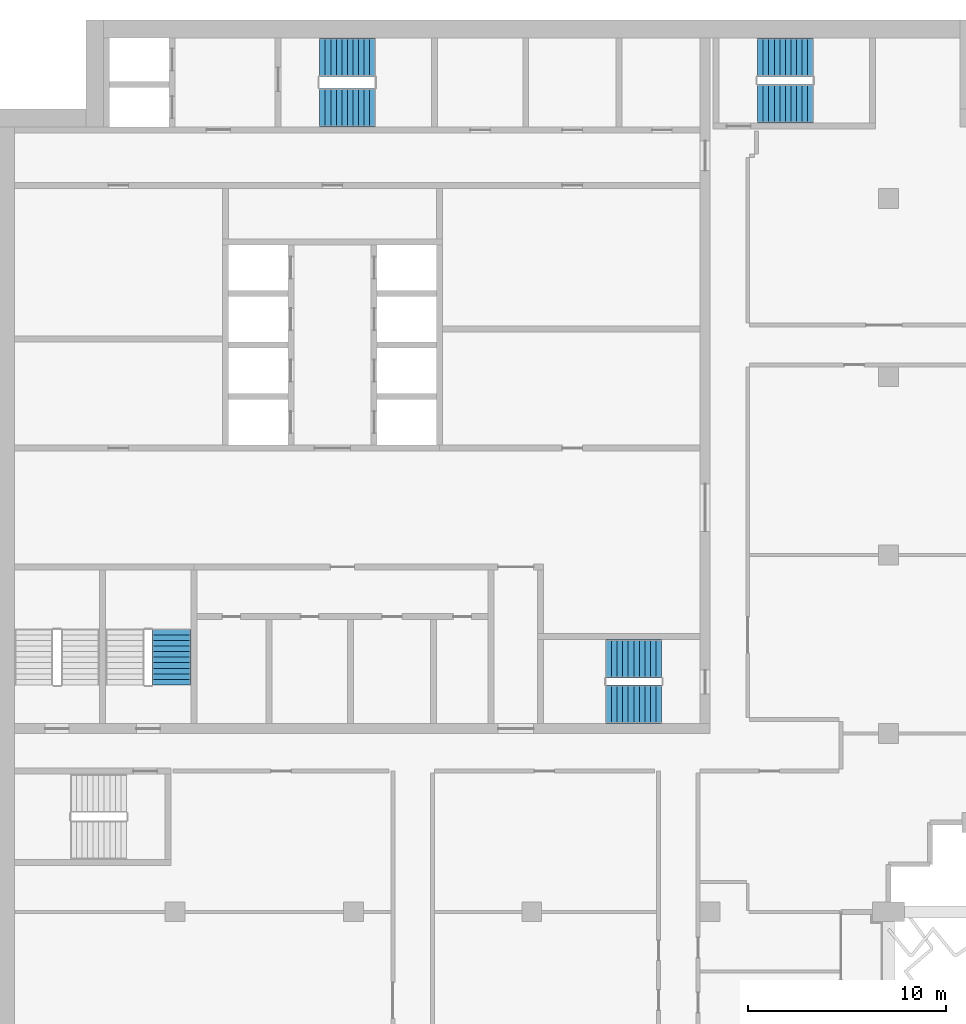
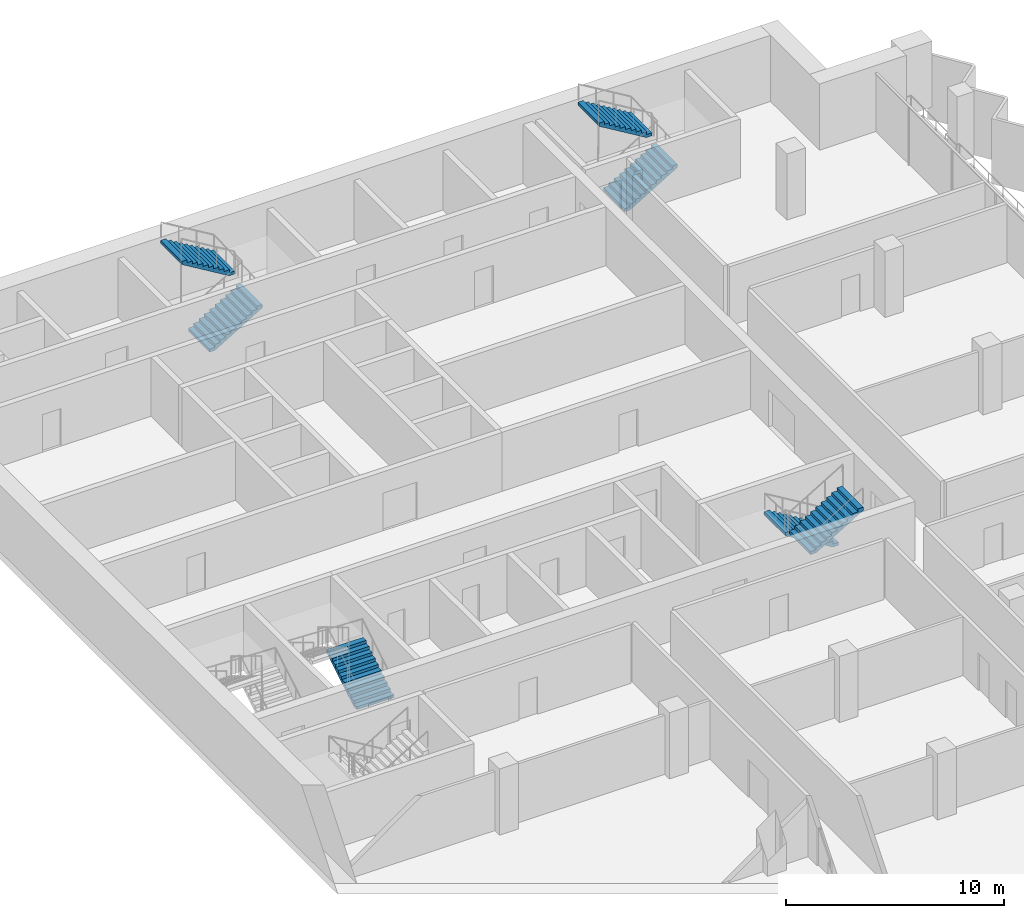
# One storey, part 12 of 16: 7 stair flights, 4 elements without a shape of their own.
"""IFC4 building model written with IfcOpenShell, lengths in metres."""

from ifc_helpers import new_model, si_unit, direction, frame, origin, place, context, subcontext, project, spatial, polyline, outline, extrude, material, type_object, element, aggregate, save


model = new_model("IFC4")

# Units and contexts
model_context = context("Model", 3, precision=1e-05, world=origin(), true_north=direction((0.0, 1.0)))
body_context = subcontext(model_context, "Body", "Model", "MODEL_VIEW")
ifc_project = project(units=[si_unit("LENGTHUNIT", "METRE"), si_unit("AREAUNIT", "SQUARE_METRE"), si_unit("VOLUMEUNIT", "CUBIC_METRE"), si_unit("PLANEANGLEUNIT", "RADIAN"), si_unit("MASSUNIT", "GRAM", prefix="KILO")], contexts=[model_context])

# Site, building, storey
site_placement = place(None, origin())
site = spatial("IfcSite", under=ifc_project, at=site_placement, CompositionType="ELEMENT")
building_placement = place(site_placement, origin())
building = spatial("IfcBuilding", under=site, at=building_placement, Name="Hunhe Ridgeline Campus", CompositionType="ELEMENT")
storey_placement = place(building_placement, frame((0.0, 0.0, 254.0)))
storey = spatial("IfcBuildingStorey", under=building, at=storey_placement, Name="L65", CompositionType="ELEMENT", Elevation=254.0)

# Stair, stair flights
ifc_material = material(Name="Concrete C40", Category="concrete")
stair_type = type_object("IfcStairType", Name="Reinforced concrete dog-leg stair 1950 Concrete C40", PredefinedType="HALF_TURN_STAIR", material=ifc_material)
stair_1_placement = place(storey_placement, origin())
stair_1 = element("IfcStair", 1, at=stair_1_placement, inside=storey, type_object=stair_type, Name="L65 S1", PredefinedType="HALF_TURN_STAIR")
stair_flight_type = type_object("IfcStairFlightType", Name="Reinforced concrete stair flight 1950 Concrete C40", PredefinedType="STRAIGHT", material=ifc_material)
stair_flight_1_placement = place(storey_placement, frame((16.300048828125, 94.574951171875, 0.0), z_axis=(0.0, 0.0, 1.0), x_axis=(1.0, 0.0, 0.0)))
stair_flight_1 = element("IfcStairFlight", 2, at=stair_flight_1_placement, type_object=stair_flight_type, Name="ST1 flight 1", NumberOfRisers=11, NumberOfTreads=10, PredefinedType="STRAIGHT", RiserHeight=0.168181818, TreadLength=0.28, context=body_context, shape_type="SweptSolid", body=[
    extrude(outline(polyline([(0.0, 0.0), (0.0, 0.168212890625), (0.280029296875, 0.168212890625), (0.280029296875, 0.33642578125), (0.56005859375, 0.33642578125), (0.56005859375, 0.504638671875), (0.840087890625, 0.504638671875), (0.840087890625, 0.672607421875), (1.1201171875, 0.672607421875), (1.1201171875, 0.8408203125), (1.39990234375, 0.8408203125), (1.39990234375, 1.009033203125), (1.679931640625, 1.009033203125), (1.679931640625, 1.17724609375), (1.9599609375, 1.17724609375), (1.9599609375, 1.345458984375), (2.239990234375, 1.345458984375), (2.239990234375, 1.513671875), (2.52001953125, 1.513671875), (2.52001953125, 1.681884765625), (2.800048828125, 1.681884765625), (2.800048828125, 1.85009765625), (2.800048828125, 1.5068359375), (0.291015625, 0.0), (0.0, 0.0)])), frame((0.0, 0.97509765625, 0.0), z_axis=(0.0, -1.0, 0.0), x_axis=(1.0, 0.0, 0.0)), (0.0, 0.0, 1.0), 1.949951171875),
    extrude(outline(polyline([(0.030029296875, 0.030029296875), (0.030029296875, 0.13818359375), (0.31005859375, 0.13818359375), (0.31005859375, 0.306396484375), (0.590087890625, 0.306396484375), (0.590087890625, 0.474609375), (0.8701171875, 0.474609375), (0.8701171875, 0.642578125), (1.14990234375, 0.642578125), (1.14990234375, 0.810791015625), (1.429931640625, 0.810791015625), (1.429931640625, 0.97900390625), (1.7099609375, 0.97900390625), (1.7099609375, 1.147216796875), (1.989990234375, 1.147216796875), (1.989990234375, 1.3154296875), (2.27001953125, 1.3154296875), (2.27001953125, 1.483642578125), (2.550048828125, 1.483642578125), (2.550048828125, 1.65185546875), (2.77001953125, 1.65185546875), (2.77001953125, 1.52392578125), (0.28271484375, 0.030029296875), (0.030029296875, 0.030029296875)])), frame((0.0, -0.070068359375, 0.0), z_axis=(0.0, -1.0, 0.0), x_axis=(1.0, 0.0, 0.0)), (0.0, 0.0, 1.0), 0.019775390625),
    extrude(outline(polyline([(0.030029296875, 0.030029296875), (0.030029296875, 0.13818359375), (0.31005859375, 0.13818359375), (0.31005859375, 0.306396484375), (0.590087890625, 0.306396484375), (0.590087890625, 0.474609375), (0.8701171875, 0.474609375), (0.8701171875, 0.642578125), (1.14990234375, 0.642578125), (1.14990234375, 0.810791015625), (1.429931640625, 0.810791015625), (1.429931640625, 0.97900390625), (1.7099609375, 0.97900390625), (1.7099609375, 1.147216796875), (1.989990234375, 1.147216796875), (1.989990234375, 1.3154296875), (2.27001953125, 1.3154296875), (2.27001953125, 1.483642578125), (2.550048828125, 1.483642578125), (2.550048828125, 1.65185546875), (2.77001953125, 1.65185546875), (2.77001953125, 1.52392578125), (0.28271484375, 0.030029296875), (0.030029296875, 0.030029296875)])), frame((0.0, 0.010009765625, 0.0), z_axis=(0.0, -1.0, 0.0), x_axis=(1.0, 0.0, 0.0)), (0.0, 0.0, 1.0), 0.019775390625),
    extrude(outline(polyline([(0.030029296875, 0.030029296875), (0.030029296875, 0.13818359375), (0.31005859375, 0.13818359375), (0.31005859375, 0.306396484375), (0.590087890625, 0.306396484375), (0.590087890625, 0.474609375), (0.8701171875, 0.474609375), (0.8701171875, 0.642578125), (1.14990234375, 0.642578125), (1.14990234375, 0.810791015625), (1.429931640625, 0.810791015625), (1.429931640625, 0.97900390625), (1.7099609375, 0.97900390625), (1.7099609375, 1.147216796875), (1.989990234375, 1.147216796875), (1.989990234375, 1.3154296875), (2.27001953125, 1.3154296875), (2.27001953125, 1.483642578125), (2.550048828125, 1.483642578125), (2.550048828125, 1.65185546875), (2.77001953125, 1.65185546875), (2.77001953125, 1.52392578125), (0.28271484375, 0.030029296875), (0.030029296875, 0.030029296875)])), frame((0.0, 0.090087890625, 0.0), z_axis=(0.0, -1.0, 0.0), x_axis=(1.0, 0.0, 0.0)), (0.0, 0.0, 1.0), 0.019775390625),
])
stair_flight_2_placement = place(storey_placement, frame((19.10009765625, 97.125, 1.85009765625), z_axis=(0.0, 0.0, 1.0), x_axis=(-1.0, 0.0, 0.0)))
stair_flight_2 = element("IfcStairFlight", 3, at=stair_flight_2_placement, type_object=stair_flight_type, Name="ST1 flight 2", NumberOfRisers=11, NumberOfTreads=10, PredefinedType="STRAIGHT", RiserHeight=0.168181818, TreadLength=0.28, context=body_context, shape_type="SweptSolid", body=[
    extrude(outline(polyline([(0.0, 0.0), (0.0, 0.168212890625), (0.280029296875, 0.168212890625), (0.280029296875, 0.33642578125), (0.56005859375, 0.33642578125), (0.56005859375, 0.504638671875), (0.840087890625, 0.504638671875), (0.840087890625, 0.672607421875), (1.1201171875, 0.672607421875), (1.1201171875, 0.8408203125), (1.39990234375, 0.8408203125), (1.39990234375, 1.009033203125), (1.679931640625, 1.009033203125), (1.679931640625, 1.17724609375), (1.9599609375, 1.17724609375), (1.9599609375, 1.345458984375), (2.239990234375, 1.345458984375), (2.239990234375, 1.513671875), (2.52001953125, 1.513671875), (2.52001953125, 1.681884765625), (2.800048828125, 1.681884765625), (2.800048828125, 1.85009765625), (2.800048828125, 1.5068359375), (0.291015625, 0.0), (0.0, 0.0)])), frame((0.0, 0.97509765625, 0.0), z_axis=(0.0, -1.0, 0.0), x_axis=(1.0, 0.0, 0.0)), (0.0, 0.0, 1.0), 1.949951171875),
    extrude(outline(polyline([(0.030029296875, 0.030029296875), (0.030029296875, 0.13818359375), (0.31005859375, 0.13818359375), (0.31005859375, 0.306396484375), (0.590087890625, 0.306396484375), (0.590087890625, 0.474609375), (0.8701171875, 0.474609375), (0.8701171875, 0.642578125), (1.14990234375, 0.642578125), (1.14990234375, 0.810791015625), (1.429931640625, 0.810791015625), (1.429931640625, 0.97900390625), (1.7099609375, 0.97900390625), (1.7099609375, 1.147216796875), (1.989990234375, 1.147216796875), (1.989990234375, 1.3154296875), (2.27001953125, 1.3154296875), (2.27001953125, 1.483642578125), (2.550048828125, 1.483642578125), (2.550048828125, 1.65185546875), (2.77001953125, 1.65185546875), (2.77001953125, 1.52392578125), (0.28271484375, 0.030029296875), (0.030029296875, 0.030029296875)])), frame((0.0, -0.070068359375, 0.0), z_axis=(0.0, -1.0, 0.0), x_axis=(1.0, 0.0, 0.0)), (0.0, 0.0, 1.0), 0.019775390625),
    extrude(outline(polyline([(0.030029296875, 0.030029296875), (0.030029296875, 0.13818359375), (0.31005859375, 0.13818359375), (0.31005859375, 0.306396484375), (0.590087890625, 0.306396484375), (0.590087890625, 0.474609375), (0.8701171875, 0.474609375), (0.8701171875, 0.642578125), (1.14990234375, 0.642578125), (1.14990234375, 0.810791015625), (1.429931640625, 0.810791015625), (1.429931640625, 0.97900390625), (1.7099609375, 0.97900390625), (1.7099609375, 1.147216796875), (1.989990234375, 1.147216796875), (1.989990234375, 1.3154296875), (2.27001953125, 1.3154296875), (2.27001953125, 1.483642578125), (2.550048828125, 1.483642578125), (2.550048828125, 1.65185546875), (2.77001953125, 1.65185546875), (2.77001953125, 1.52392578125), (0.28271484375, 0.030029296875), (0.030029296875, 0.030029296875)])), frame((0.0, 0.010009765625, 0.0), z_axis=(0.0, -1.0, 0.0), x_axis=(1.0, 0.0, 0.0)), (0.0, 0.0, 1.0), 0.019775390625),
    extrude(outline(polyline([(0.030029296875, 0.030029296875), (0.030029296875, 0.13818359375), (0.31005859375, 0.13818359375), (0.31005859375, 0.306396484375), (0.590087890625, 0.306396484375), (0.590087890625, 0.474609375), (0.8701171875, 0.474609375), (0.8701171875, 0.642578125), (1.14990234375, 0.642578125), (1.14990234375, 0.810791015625), (1.429931640625, 0.810791015625), (1.429931640625, 0.97900390625), (1.7099609375, 0.97900390625), (1.7099609375, 1.147216796875), (1.989990234375, 1.147216796875), (1.989990234375, 1.3154296875), (2.27001953125, 1.3154296875), (2.27001953125, 1.483642578125), (2.550048828125, 1.483642578125), (2.550048828125, 1.65185546875), (2.77001953125, 1.65185546875), (2.77001953125, 1.52392578125), (0.28271484375, 0.030029296875), (0.030029296875, 0.030029296875)])), frame((0.0, 0.090087890625, 0.0), z_axis=(0.0, -1.0, 0.0), x_axis=(1.0, 0.0, 0.0)), (0.0, 0.0, 1.0), 0.019775390625),
])
aggregate(stair_1, [stair_flight_1, stair_flight_2])

stair_2_placement = place(storey_placement, origin())
stair_2 = element("IfcStair", 4, at=stair_2_placement, inside=storey, type_object=stair_type, Name="L65 S2", PredefinedType="HALF_TURN_STAIR")
stair_flight_3_placement = place(storey_placement, frame((33.550048828125, 66.77490234375, 0.0), z_axis=(0.0, 0.0, 1.0), x_axis=(-1.0, 0.0, 0.0)))
stair_flight_3 = element("IfcStairFlight", 5, at=stair_flight_3_placement, type_object=stair_flight_type, Name="ST2 flight 1", NumberOfRisers=11, NumberOfTreads=10, PredefinedType="STRAIGHT", RiserHeight=0.168181818, TreadLength=0.28, context=body_context, shape_type="SweptSolid", body=[
    extrude(outline(polyline([(0.0, 0.0), (0.0, 0.168212890625), (0.280029296875, 0.168212890625), (0.280029296875, 0.33642578125), (0.56005859375, 0.33642578125), (0.56005859375, 0.504638671875), (0.840087890625, 0.504638671875), (0.840087890625, 0.672607421875), (1.1201171875, 0.672607421875), (1.1201171875, 0.8408203125), (1.39990234375, 0.8408203125), (1.39990234375, 1.009033203125), (1.679931640625, 1.009033203125), (1.679931640625, 1.17724609375), (1.9599609375, 1.17724609375), (1.9599609375, 1.345458984375), (2.239990234375, 1.345458984375), (2.239990234375, 1.513671875), (2.52001953125, 1.513671875), (2.52001953125, 1.681884765625), (2.800048828125, 1.681884765625), (2.800048828125, 1.85009765625), (2.800048828125, 1.5068359375), (0.291015625, 0.0), (0.0, 0.0)])), frame((0.0, 0.97509765625, 0.0), z_axis=(0.0, -1.0, 0.0), x_axis=(1.0, 0.0, 0.0)), (0.0, 0.0, 1.0), 1.949951171875),
    extrude(outline(polyline([(0.030029296875, 0.030029296875), (0.030029296875, 0.13818359375), (0.31005859375, 0.13818359375), (0.31005859375, 0.306396484375), (0.590087890625, 0.306396484375), (0.590087890625, 0.474609375), (0.8701171875, 0.474609375), (0.8701171875, 0.642578125), (1.14990234375, 0.642578125), (1.14990234375, 0.810791015625), (1.429931640625, 0.810791015625), (1.429931640625, 0.97900390625), (1.7099609375, 0.97900390625), (1.7099609375, 1.147216796875), (1.989990234375, 1.147216796875), (1.989990234375, 1.3154296875), (2.27001953125, 1.3154296875), (2.27001953125, 1.483642578125), (2.550048828125, 1.483642578125), (2.550048828125, 1.65185546875), (2.77001953125, 1.65185546875), (2.77001953125, 1.52392578125), (0.28271484375, 0.030029296875), (0.030029296875, 0.030029296875)])), frame((0.0, -0.070068359375, 0.0), z_axis=(0.0, -1.0, 0.0), x_axis=(1.0, 0.0, 0.0)), (0.0, 0.0, 1.0), 0.019775390625),
    extrude(outline(polyline([(0.030029296875, 0.030029296875), (0.030029296875, 0.13818359375), (0.31005859375, 0.13818359375), (0.31005859375, 0.306396484375), (0.590087890625, 0.306396484375), (0.590087890625, 0.474609375), (0.8701171875, 0.474609375), (0.8701171875, 0.642578125), (1.14990234375, 0.642578125), (1.14990234375, 0.810791015625), (1.429931640625, 0.810791015625), (1.429931640625, 0.97900390625), (1.7099609375, 0.97900390625), (1.7099609375, 1.147216796875), (1.989990234375, 1.147216796875), (1.989990234375, 1.3154296875), (2.27001953125, 1.3154296875), (2.27001953125, 1.483642578125), (2.550048828125, 1.483642578125), (2.550048828125, 1.65185546875), (2.77001953125, 1.65185546875), (2.77001953125, 1.52392578125), (0.28271484375, 0.030029296875), (0.030029296875, 0.030029296875)])), frame((0.0, 0.010009765625, 0.0), z_axis=(0.0, -1.0, 0.0), x_axis=(1.0, 0.0, 0.0)), (0.0, 0.0, 1.0), 0.019775390625),
    extrude(outline(polyline([(0.030029296875, 0.030029296875), (0.030029296875, 0.13818359375), (0.31005859375, 0.13818359375), (0.31005859375, 0.306396484375), (0.590087890625, 0.306396484375), (0.590087890625, 0.474609375), (0.8701171875, 0.474609375), (0.8701171875, 0.642578125), (1.14990234375, 0.642578125), (1.14990234375, 0.810791015625), (1.429931640625, 0.810791015625), (1.429931640625, 0.97900390625), (1.7099609375, 0.97900390625), (1.7099609375, 1.147216796875), (1.989990234375, 1.147216796875), (1.989990234375, 1.3154296875), (2.27001953125, 1.3154296875), (2.27001953125, 1.483642578125), (2.550048828125, 1.483642578125), (2.550048828125, 1.65185546875), (2.77001953125, 1.65185546875), (2.77001953125, 1.52392578125), (0.28271484375, 0.030029296875), (0.030029296875, 0.030029296875)])), frame((0.0, 0.090087890625, 0.0), z_axis=(0.0, -1.0, 0.0), x_axis=(1.0, 0.0, 0.0)), (0.0, 0.0, 1.0), 0.019775390625),
])
stair_flight_4_placement = place(storey_placement, frame((30.75, 64.47509765625, 1.85009765625), z_axis=(0.0, 0.0, 1.0), x_axis=(1.0, 0.0, 0.0)))
stair_flight_4 = element("IfcStairFlight", 6, at=stair_flight_4_placement, type_object=stair_flight_type, Name="ST2 flight 2", NumberOfRisers=11, NumberOfTreads=10, PredefinedType="STRAIGHT", RiserHeight=0.168181818, TreadLength=0.28, context=body_context, shape_type="SweptSolid", body=[
    extrude(outline(polyline([(0.0, 0.0), (0.0, 0.168212890625), (0.280029296875, 0.168212890625), (0.280029296875, 0.33642578125), (0.56005859375, 0.33642578125), (0.56005859375, 0.504638671875), (0.840087890625, 0.504638671875), (0.840087890625, 0.672607421875), (1.1201171875, 0.672607421875), (1.1201171875, 0.8408203125), (1.39990234375, 0.8408203125), (1.39990234375, 1.009033203125), (1.679931640625, 1.009033203125), (1.679931640625, 1.17724609375), (1.9599609375, 1.17724609375), (1.9599609375, 1.345458984375), (2.239990234375, 1.345458984375), (2.239990234375, 1.513671875), (2.52001953125, 1.513671875), (2.52001953125, 1.681884765625), (2.800048828125, 1.681884765625), (2.800048828125, 1.85009765625), (2.800048828125, 1.5068359375), (0.291015625, 0.0), (0.0, 0.0)])), frame((0.0, 0.97509765625, 0.0), z_axis=(0.0, -1.0, 0.0), x_axis=(1.0, 0.0, 0.0)), (0.0, 0.0, 1.0), 1.949951171875),
    extrude(outline(polyline([(0.030029296875, 0.030029296875), (0.030029296875, 0.13818359375), (0.31005859375, 0.13818359375), (0.31005859375, 0.306396484375), (0.590087890625, 0.306396484375), (0.590087890625, 0.474609375), (0.8701171875, 0.474609375), (0.8701171875, 0.642578125), (1.14990234375, 0.642578125), (1.14990234375, 0.810791015625), (1.429931640625, 0.810791015625), (1.429931640625, 0.97900390625), (1.7099609375, 0.97900390625), (1.7099609375, 1.147216796875), (1.989990234375, 1.147216796875), (1.989990234375, 1.3154296875), (2.27001953125, 1.3154296875), (2.27001953125, 1.483642578125), (2.550048828125, 1.483642578125), (2.550048828125, 1.65185546875), (2.77001953125, 1.65185546875), (2.77001953125, 1.52392578125), (0.28271484375, 0.030029296875), (0.030029296875, 0.030029296875)])), frame((0.0, -0.070068359375, 0.0), z_axis=(0.0, -1.0, 0.0), x_axis=(1.0, 0.0, 0.0)), (0.0, 0.0, 1.0), 0.019775390625),
    extrude(outline(polyline([(0.030029296875, 0.030029296875), (0.030029296875, 0.13818359375), (0.31005859375, 0.13818359375), (0.31005859375, 0.306396484375), (0.590087890625, 0.306396484375), (0.590087890625, 0.474609375), (0.8701171875, 0.474609375), (0.8701171875, 0.642578125), (1.14990234375, 0.642578125), (1.14990234375, 0.810791015625), (1.429931640625, 0.810791015625), (1.429931640625, 0.97900390625), (1.7099609375, 0.97900390625), (1.7099609375, 1.147216796875), (1.989990234375, 1.147216796875), (1.989990234375, 1.3154296875), (2.27001953125, 1.3154296875), (2.27001953125, 1.483642578125), (2.550048828125, 1.483642578125), (2.550048828125, 1.65185546875), (2.77001953125, 1.65185546875), (2.77001953125, 1.52392578125), (0.28271484375, 0.030029296875), (0.030029296875, 0.030029296875)])), frame((0.0, 0.010009765625, 0.0), z_axis=(0.0, -1.0, 0.0), x_axis=(1.0, 0.0, 0.0)), (0.0, 0.0, 1.0), 0.019775390625),
    extrude(outline(polyline([(0.030029296875, 0.030029296875), (0.030029296875, 0.13818359375), (0.31005859375, 0.13818359375), (0.31005859375, 0.306396484375), (0.590087890625, 0.306396484375), (0.590087890625, 0.474609375), (0.8701171875, 0.474609375), (0.8701171875, 0.642578125), (1.14990234375, 0.642578125), (1.14990234375, 0.810791015625), (1.429931640625, 0.810791015625), (1.429931640625, 0.97900390625), (1.7099609375, 0.97900390625), (1.7099609375, 1.147216796875), (1.989990234375, 1.147216796875), (1.989990234375, 1.3154296875), (2.27001953125, 1.3154296875), (2.27001953125, 1.483642578125), (2.550048828125, 1.483642578125), (2.550048828125, 1.65185546875), (2.77001953125, 1.65185546875), (2.77001953125, 1.52392578125), (0.28271484375, 0.030029296875), (0.030029296875, 0.030029296875)])), frame((0.0, 0.090087890625, 0.0), z_axis=(0.0, -1.0, 0.0), x_axis=(1.0, 0.0, 0.0)), (0.0, 0.0, 1.0), 0.019775390625),
])
aggregate(stair_2, [stair_flight_3, stair_flight_4])

# Stair, stair flight
stair_3_placement = place(storey_placement, origin())
stair_3 = element("IfcStair", 7, at=stair_3_placement, inside=storey, type_object=stair_type, Name="L65 S4", PredefinedType="HALF_TURN_STAIR")
stair_flight_5_placement = place(storey_placement, frame((8.824951171875, 65.449951171875, 0.0), z_axis=(0.0, 0.0, 1.0), x_axis=(0.0, 1.0, 0.0)))
stair_flight_5 = element("IfcStairFlight", 8, at=stair_flight_5_placement, type_object=stair_flight_type, Name="ST4 flight 1", NumberOfRisers=11, NumberOfTreads=10, PredefinedType="STRAIGHT", RiserHeight=0.168181818, TreadLength=0.28, context=body_context, shape_type="SweptSolid", body=[
    extrude(outline(polyline([(0.0, 0.0), (0.0, 0.168212890625), (0.280029296875, 0.168212890625), (0.280029296875, 0.33642578125), (0.56005859375, 0.33642578125), (0.56005859375, 0.504638671875), (0.840087890625, 0.504638671875), (0.840087890625, 0.672607421875), (1.1201171875, 0.672607421875), (1.1201171875, 0.8408203125), (1.39990234375, 0.8408203125), (1.39990234375, 1.009033203125), (1.679931640625, 1.009033203125), (1.679931640625, 1.17724609375), (1.9599609375, 1.17724609375), (1.9599609375, 1.345458984375), (2.239990234375, 1.345458984375), (2.239990234375, 1.513671875), (2.52001953125, 1.513671875), (2.52001953125, 1.681884765625), (2.800048828125, 1.681884765625), (2.800048828125, 1.85009765625), (2.800048828125, 1.5068359375), (0.291015625, 0.0), (0.0, 0.0)])), frame((0.0, 0.97509765625, 0.0), z_axis=(0.0, -1.0, 0.0), x_axis=(1.0, 0.0, 0.0)), (0.0, 0.0, 1.0), 1.949951171875),
    extrude(outline(polyline([(0.030029296875, 0.030029296875), (0.030029296875, 0.13818359375), (0.31005859375, 0.13818359375), (0.31005859375, 0.306396484375), (0.590087890625, 0.306396484375), (0.590087890625, 0.474609375), (0.8701171875, 0.474609375), (0.8701171875, 0.642578125), (1.14990234375, 0.642578125), (1.14990234375, 0.810791015625), (1.429931640625, 0.810791015625), (1.429931640625, 0.97900390625), (1.7099609375, 0.97900390625), (1.7099609375, 1.147216796875), (1.989990234375, 1.147216796875), (1.989990234375, 1.3154296875), (2.27001953125, 1.3154296875), (2.27001953125, 1.483642578125), (2.550048828125, 1.483642578125), (2.550048828125, 1.65185546875), (2.77001953125, 1.65185546875), (2.77001953125, 1.52392578125), (0.28271484375, 0.030029296875), (0.030029296875, 0.030029296875)])), frame((0.0, -0.070068359375, 0.0), z_axis=(0.0, -1.0, 0.0), x_axis=(1.0, 0.0, 0.0)), (0.0, 0.0, 1.0), 0.019775390625),
    extrude(outline(polyline([(0.030029296875, 0.030029296875), (0.030029296875, 0.13818359375), (0.31005859375, 0.13818359375), (0.31005859375, 0.306396484375), (0.590087890625, 0.306396484375), (0.590087890625, 0.474609375), (0.8701171875, 0.474609375), (0.8701171875, 0.642578125), (1.14990234375, 0.642578125), (1.14990234375, 0.810791015625), (1.429931640625, 0.810791015625), (1.429931640625, 0.97900390625), (1.7099609375, 0.97900390625), (1.7099609375, 1.147216796875), (1.989990234375, 1.147216796875), (1.989990234375, 1.3154296875), (2.27001953125, 1.3154296875), (2.27001953125, 1.483642578125), (2.550048828125, 1.483642578125), (2.550048828125, 1.65185546875), (2.77001953125, 1.65185546875), (2.77001953125, 1.52392578125), (0.28271484375, 0.030029296875), (0.030029296875, 0.030029296875)])), frame((0.0, 0.010009765625, 0.0), z_axis=(0.0, -1.0, 0.0), x_axis=(1.0, 0.0, 0.0)), (0.0, 0.0, 1.0), 0.019775390625),
    extrude(outline(polyline([(0.030029296875, 0.030029296875), (0.030029296875, 0.13818359375), (0.31005859375, 0.13818359375), (0.31005859375, 0.306396484375), (0.590087890625, 0.306396484375), (0.590087890625, 0.474609375), (0.8701171875, 0.474609375), (0.8701171875, 0.642578125), (1.14990234375, 0.642578125), (1.14990234375, 0.810791015625), (1.429931640625, 0.810791015625), (1.429931640625, 0.97900390625), (1.7099609375, 0.97900390625), (1.7099609375, 1.147216796875), (1.989990234375, 1.147216796875), (1.989990234375, 1.3154296875), (2.27001953125, 1.3154296875), (2.27001953125, 1.483642578125), (2.550048828125, 1.483642578125), (2.550048828125, 1.65185546875), (2.77001953125, 1.65185546875), (2.77001953125, 1.52392578125), (0.28271484375, 0.030029296875), (0.030029296875, 0.030029296875)])), frame((0.0, 0.090087890625, 0.0), z_axis=(0.0, -1.0, 0.0), x_axis=(1.0, 0.0, 0.0)), (0.0, 0.0, 1.0), 0.019775390625),
])
aggregate(stair_3, [stair_flight_5])

# Stair, stair flights
stair_4_placement = place(storey_placement, origin())
stair_4 = element("IfcStair", 9, at=stair_4_placement, inside=storey, type_object=stair_type, Name="L65 E1", PredefinedType="HALF_TURN_STAIR")
stair_flight_6_placement = place(storey_placement, frame((38.39990234375, 94.77490234375, 0.0), z_axis=(0.0, 0.0, 1.0), x_axis=(1.0, 0.0, 0.0)))
stair_flight_6 = element("IfcStairFlight", 10, at=stair_flight_6_placement, type_object=stair_flight_type, Name="ST5 flight 1", NumberOfRisers=11, NumberOfTreads=10, PredefinedType="STRAIGHT", RiserHeight=0.168181818, TreadLength=0.28, context=body_context, shape_type="SweptSolid", body=[
    extrude(outline(polyline([(0.0, 0.0), (0.0, 0.168212890625), (0.280029296875, 0.168212890625), (0.280029296875, 0.33642578125), (0.56005859375, 0.33642578125), (0.56005859375, 0.504638671875), (0.840087890625, 0.504638671875), (0.840087890625, 0.672607421875), (1.1201171875, 0.672607421875), (1.1201171875, 0.8408203125), (1.39990234375, 0.8408203125), (1.39990234375, 1.009033203125), (1.679931640625, 1.009033203125), (1.679931640625, 1.17724609375), (1.9599609375, 1.17724609375), (1.9599609375, 1.345458984375), (2.239990234375, 1.345458984375), (2.239990234375, 1.513671875), (2.52001953125, 1.513671875), (2.52001953125, 1.681884765625), (2.800048828125, 1.681884765625), (2.800048828125, 1.85009765625), (2.800048828125, 1.5068359375), (0.291015625, 0.0), (0.0, 0.0)])), frame((0.0, 0.97509765625, 0.0), z_axis=(0.0, -1.0, 0.0), x_axis=(1.0, 0.0, 0.0)), (0.0, 0.0, 1.0), 1.949951171875),
    extrude(outline(polyline([(0.030029296875, 0.030029296875), (0.030029296875, 0.13818359375), (0.31005859375, 0.13818359375), (0.31005859375, 0.306396484375), (0.590087890625, 0.306396484375), (0.590087890625, 0.474609375), (0.8701171875, 0.474609375), (0.8701171875, 0.642578125), (1.14990234375, 0.642578125), (1.14990234375, 0.810791015625), (1.429931640625, 0.810791015625), (1.429931640625, 0.97900390625), (1.7099609375, 0.97900390625), (1.7099609375, 1.147216796875), (1.989990234375, 1.147216796875), (1.989990234375, 1.3154296875), (2.27001953125, 1.3154296875), (2.27001953125, 1.483642578125), (2.550048828125, 1.483642578125), (2.550048828125, 1.65185546875), (2.77001953125, 1.65185546875), (2.77001953125, 1.52392578125), (0.28271484375, 0.030029296875), (0.030029296875, 0.030029296875)])), frame((0.0, -0.070068359375, 0.0), z_axis=(0.0, -1.0, 0.0), x_axis=(1.0, 0.0, 0.0)), (0.0, 0.0, 1.0), 0.019775390625),
    extrude(outline(polyline([(0.030029296875, 0.030029296875), (0.030029296875, 0.13818359375), (0.31005859375, 0.13818359375), (0.31005859375, 0.306396484375), (0.590087890625, 0.306396484375), (0.590087890625, 0.474609375), (0.8701171875, 0.474609375), (0.8701171875, 0.642578125), (1.14990234375, 0.642578125), (1.14990234375, 0.810791015625), (1.429931640625, 0.810791015625), (1.429931640625, 0.97900390625), (1.7099609375, 0.97900390625), (1.7099609375, 1.147216796875), (1.989990234375, 1.147216796875), (1.989990234375, 1.3154296875), (2.27001953125, 1.3154296875), (2.27001953125, 1.483642578125), (2.550048828125, 1.483642578125), (2.550048828125, 1.65185546875), (2.77001953125, 1.65185546875), (2.77001953125, 1.52392578125), (0.28271484375, 0.030029296875), (0.030029296875, 0.030029296875)])), frame((0.0, 0.010009765625, 0.0), z_axis=(0.0, -1.0, 0.0), x_axis=(1.0, 0.0, 0.0)), (0.0, 0.0, 1.0), 0.019775390625),
    extrude(outline(polyline([(0.030029296875, 0.030029296875), (0.030029296875, 0.13818359375), (0.31005859375, 0.13818359375), (0.31005859375, 0.306396484375), (0.590087890625, 0.306396484375), (0.590087890625, 0.474609375), (0.8701171875, 0.474609375), (0.8701171875, 0.642578125), (1.14990234375, 0.642578125), (1.14990234375, 0.810791015625), (1.429931640625, 0.810791015625), (1.429931640625, 0.97900390625), (1.7099609375, 0.97900390625), (1.7099609375, 1.147216796875), (1.989990234375, 1.147216796875), (1.989990234375, 1.3154296875), (2.27001953125, 1.3154296875), (2.27001953125, 1.483642578125), (2.550048828125, 1.483642578125), (2.550048828125, 1.65185546875), (2.77001953125, 1.65185546875), (2.77001953125, 1.52392578125), (0.28271484375, 0.030029296875), (0.030029296875, 0.030029296875)])), frame((0.0, 0.090087890625, 0.0), z_axis=(0.0, -1.0, 0.0), x_axis=(1.0, 0.0, 0.0)), (0.0, 0.0, 1.0), 0.019775390625),
])
stair_flight_7_placement = place(storey_placement, frame((41.199951171875, 97.125, 1.85009765625), z_axis=(0.0, 0.0, 1.0), x_axis=(-1.0, 0.0, 0.0)))
stair_flight_7 = element("IfcStairFlight", 11, at=stair_flight_7_placement, type_object=stair_flight_type, Name="ST5 flight 2", NumberOfRisers=11, NumberOfTreads=10, PredefinedType="STRAIGHT", RiserHeight=0.168181818, TreadLength=0.28, context=body_context, shape_type="SweptSolid", body=[
    extrude(outline(polyline([(0.0, 0.0), (0.0, 0.168212890625), (0.280029296875, 0.168212890625), (0.280029296875, 0.33642578125), (0.56005859375, 0.33642578125), (0.56005859375, 0.504638671875), (0.840087890625, 0.504638671875), (0.840087890625, 0.672607421875), (1.1201171875, 0.672607421875), (1.1201171875, 0.8408203125), (1.39990234375, 0.8408203125), (1.39990234375, 1.009033203125), (1.679931640625, 1.009033203125), (1.679931640625, 1.17724609375), (1.9599609375, 1.17724609375), (1.9599609375, 1.345458984375), (2.239990234375, 1.345458984375), (2.239990234375, 1.513671875), (2.52001953125, 1.513671875), (2.52001953125, 1.681884765625), (2.800048828125, 1.681884765625), (2.800048828125, 1.85009765625), (2.800048828125, 1.5068359375), (0.291015625, 0.0), (0.0, 0.0)])), frame((0.0, 0.97509765625, 0.0), z_axis=(0.0, -1.0, 0.0), x_axis=(1.0, 0.0, 0.0)), (0.0, 0.0, 1.0), 1.949951171875),
    extrude(outline(polyline([(0.030029296875, 0.030029296875), (0.030029296875, 0.13818359375), (0.31005859375, 0.13818359375), (0.31005859375, 0.306396484375), (0.590087890625, 0.306396484375), (0.590087890625, 0.474609375), (0.8701171875, 0.474609375), (0.8701171875, 0.642578125), (1.14990234375, 0.642578125), (1.14990234375, 0.810791015625), (1.429931640625, 0.810791015625), (1.429931640625, 0.97900390625), (1.7099609375, 0.97900390625), (1.7099609375, 1.147216796875), (1.989990234375, 1.147216796875), (1.989990234375, 1.3154296875), (2.27001953125, 1.3154296875), (2.27001953125, 1.483642578125), (2.550048828125, 1.483642578125), (2.550048828125, 1.65185546875), (2.77001953125, 1.65185546875), (2.77001953125, 1.52392578125), (0.28271484375, 0.030029296875), (0.030029296875, 0.030029296875)])), frame((0.0, -0.070068359375, 0.0), z_axis=(0.0, -1.0, 0.0), x_axis=(1.0, 0.0, 0.0)), (0.0, 0.0, 1.0), 0.019775390625),
    extrude(outline(polyline([(0.030029296875, 0.030029296875), (0.030029296875, 0.13818359375), (0.31005859375, 0.13818359375), (0.31005859375, 0.306396484375), (0.590087890625, 0.306396484375), (0.590087890625, 0.474609375), (0.8701171875, 0.474609375), (0.8701171875, 0.642578125), (1.14990234375, 0.642578125), (1.14990234375, 0.810791015625), (1.429931640625, 0.810791015625), (1.429931640625, 0.97900390625), (1.7099609375, 0.97900390625), (1.7099609375, 1.147216796875), (1.989990234375, 1.147216796875), (1.989990234375, 1.3154296875), (2.27001953125, 1.3154296875), (2.27001953125, 1.483642578125), (2.550048828125, 1.483642578125), (2.550048828125, 1.65185546875), (2.77001953125, 1.65185546875), (2.77001953125, 1.52392578125), (0.28271484375, 0.030029296875), (0.030029296875, 0.030029296875)])), frame((0.0, 0.010009765625, 0.0), z_axis=(0.0, -1.0, 0.0), x_axis=(1.0, 0.0, 0.0)), (0.0, 0.0, 1.0), 0.019775390625),
    extrude(outline(polyline([(0.030029296875, 0.030029296875), (0.030029296875, 0.13818359375), (0.31005859375, 0.13818359375), (0.31005859375, 0.306396484375), (0.590087890625, 0.306396484375), (0.590087890625, 0.474609375), (0.8701171875, 0.474609375), (0.8701171875, 0.642578125), (1.14990234375, 0.642578125), (1.14990234375, 0.810791015625), (1.429931640625, 0.810791015625), (1.429931640625, 0.97900390625), (1.7099609375, 0.97900390625), (1.7099609375, 1.147216796875), (1.989990234375, 1.147216796875), (1.989990234375, 1.3154296875), (2.27001953125, 1.3154296875), (2.27001953125, 1.483642578125), (2.550048828125, 1.483642578125), (2.550048828125, 1.65185546875), (2.77001953125, 1.65185546875), (2.77001953125, 1.52392578125), (0.28271484375, 0.030029296875), (0.030029296875, 0.030029296875)])), frame((0.0, 0.090087890625, 0.0), z_axis=(0.0, -1.0, 0.0), x_axis=(1.0, 0.0, 0.0)), (0.0, 0.0, 1.0), 0.019775390625),
])
aggregate(stair_4, [stair_flight_6, stair_flight_7])

save(model, "model.ifc")
